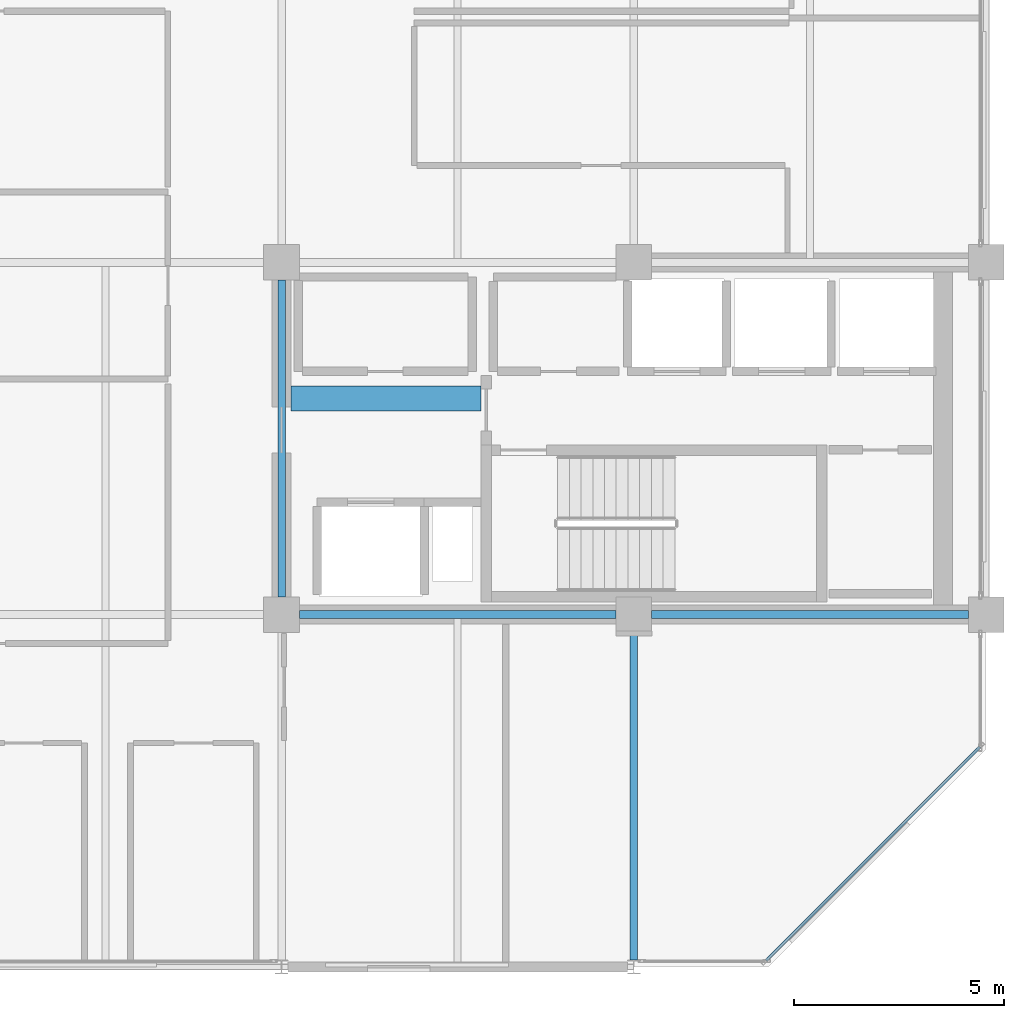
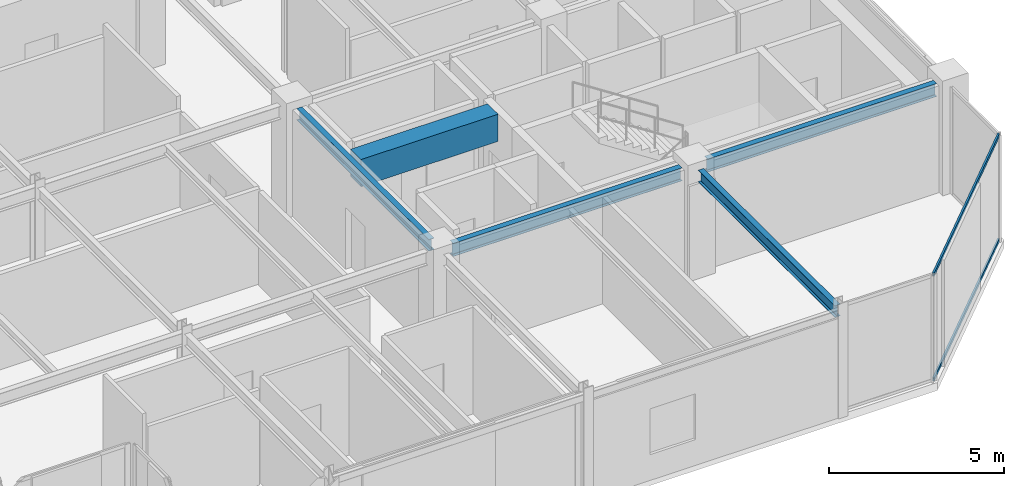
# One storey, part 8 of 24: 5 beams, 2 members, 1 element without a shape of its own.
"""IFC4 building model written with IfcOpenShell, lengths in metres."""

from ifc_helpers import new_model, si_unit, direction, frame, origin, origin_2d, place, context, subcontext, project, spatial, rectangle, hollow_rectangle, i_section, extrude, material, layer, layer_set, material_profile, profile_set, type_object, element, aggregate, save


model = new_model("IFC4")

# Units and contexts
model_context = context("Model", 3, precision=1e-05, world=origin(), true_north=direction((0.0, 1.0)))
body_context = subcontext(model_context, "Body", "Model", "MODEL_VIEW")
ifc_project = project(units=[si_unit("LENGTHUNIT", "METRE"), si_unit("AREAUNIT", "SQUARE_METRE"), si_unit("VOLUMEUNIT", "CUBIC_METRE"), si_unit("PLANEANGLEUNIT", "RADIAN"), si_unit("MASSUNIT", "GRAM", prefix="KILO")], contexts=[model_context])

# Site, building, storey
site_placement = place(None, origin())
site = spatial("IfcSite", under=ifc_project, at=site_placement, CompositionType="ELEMENT")
building_placement = place(site_placement, origin())
building = spatial("IfcBuilding", under=site, at=building_placement, Name="Nerrivon Quay Data Exchange", CompositionType="ELEMENT")
storey_placement = place(building_placement, frame((0.0, 0.0, 298.199951171875)))
storey = spatial("IfcBuildingStorey", under=building, at=storey_placement, Name="L71", CompositionType="ELEMENT", Elevation=298.199951171875)

# Beams
ifc_material_1 = material(Name="Concrete N50 (50 MPa)", Category="concrete")
ifc_material_profile_1 = material_profile(ifc_material_1, rectangle(XDim=0.60009765625, YDim=0.949951171875, at=origin_2d()), Name="RC-CB-600x950")
ifc_profile_set_1 = profile_set([ifc_material_profile_1], Name="Concrete N50 (50 MPa)")
beam_type_1 = type_object("IfcBeamType", Name="BM-CB2-600x950", PredefinedType="LINTEL", material=ifc_profile_set_1)
beam_1_placement = place(storey_placement, frame((17.02490234375, 13.550048828125, 3.25), z_axis=(1.0, 0.0, 0.0), x_axis=(0.0, 1.0, 0.0)))
element("IfcBeam", 1, at=beam_1_placement, inside=storey, type_object=beam_type_1, Name="L71 East Core Coupling Beam", PredefinedType="LINTEL", context=body_context, shape_type="SweptSolid", body=[
    extrude(rectangle(XDim=0.60009765625, YDim=0.949951171875, at=origin_2d()), origin(), (0.0, 0.0, 1.0), 4.530029296875),
])
ifc_material_2 = material(Name="Steel Grade 350", Category="steel")
ifc_material_profile_2 = material_profile(ifc_material_2, i_section(OverallWidth=0.18994140625, OverallDepth=0.4541015625, WebThickness=0.008544921875, FlangeThickness=0.0126953125, FilletRadius=0.011474609375, at=origin_2d()), Name="460UB67.1")
ifc_profile_set_2 = profile_set([ifc_material_profile_2], Name="Steel Grade 350")
beam_type_2 = type_object("IfcBeamType", Name="BM-G6-460UB67", PredefinedType="BEAM", material=ifc_profile_set_2)
beam_2_placement = place(storey_placement, frame((17.22509765625, 8.39990234375, 3.498046875), z_axis=(1.0, 0.0, 0.0), x_axis=(0.0, 1.0, 0.0)))
element("IfcBeam", 2, at=beam_2_placement, inside=storey, type_object=beam_type_2, Name="L71 EW Girder Y=8.4 (16.8..25.2)", PredefinedType="BEAM", context=body_context, shape_type="SweptSolid", body=[
    extrude(i_section(OverallWidth=0.18994140625, OverallDepth=0.4541015625, WebThickness=0.008544921875, FlangeThickness=0.0126953125, FilletRadius=0.011474609375, at=origin_2d()), origin(), (0.0, 0.0, 1.0), 7.5498046875),
])
beam_3_placement = place(storey_placement, frame((25.625, 8.39990234375, 3.498046875), z_axis=(1.0, 0.0, 0.0), x_axis=(0.0, 1.0, 0.0)))
element("IfcBeam", 3, at=beam_3_placement, inside=storey, type_object=beam_type_2, Name="L71 EW Girder Y=8.4 (25.2..33.6)", PredefinedType="BEAM", context=body_context, shape_type="SweptSolid", body=[
    extrude(i_section(OverallWidth=0.18994140625, OverallDepth=0.4541015625, WebThickness=0.008544921875, FlangeThickness=0.0126953125, FilletRadius=0.011474609375, at=origin_2d()), origin(), (0.0, 0.0, 1.0), 7.550048828125),
])
ifc_material_profile_3 = material_profile(ifc_material_2, i_section(OverallWidth=0.177978515625, OverallDepth=0.406005859375, WebThickness=0.0078125, FlangeThickness=0.0126953125, FilletRadius=0.011474609375, at=origin_2d()), Name="410UB59.7")
ifc_profile_set_3 = profile_set([ifc_material_profile_3], Name="Steel Grade 350")
beam_type_3 = type_object("IfcBeamType", Name="BM-J1-410UB60", PredefinedType="JOIST", material=ifc_profile_set_3)
beam_4_placement = place(storey_placement, frame((16.800048828125, 8.824951171875, 3.52197265625), z_axis=(0.0, 1.0, 0.0), x_axis=(-1.0, 0.0, 0.0)))
element("IfcBeam", 4, at=beam_4_placement, inside=storey, type_object=beam_type_3, Name="L71 NS Girder X=16.8 (8.4..16.8)", PredefinedType="JOIST", context=body_context, shape_type="SweptSolid", body=[
    extrude(i_section(OverallWidth=0.177978515625, OverallDepth=0.406005859375, WebThickness=0.0078125, FlangeThickness=0.0126953125, FilletRadius=0.011474609375, at=origin_2d()), origin(), (0.0, 0.0, 1.0), 7.550048828125),
])
beam_5_placement = place(storey_placement, frame((25.199951171875, 0.16357421875, 3.52197265625), z_axis=(0.0, 1.0, 0.0), x_axis=(-1.0, 0.0, 0.0)))
element("IfcBeam", 5, at=beam_5_placement, inside=storey, type_object=beam_type_3, Name="L71 NS Girder X=25.2 (0.0..8.4)", PredefinedType="JOIST", context=body_context, shape_type="SweptSolid", body=[
    extrude(i_section(OverallWidth=0.177978515625, OverallDepth=0.406005859375, WebThickness=0.0078125, FlangeThickness=0.0126953125, FilletRadius=0.011474609375, at=origin_2d()), origin(), (0.0, 0.0, 1.0), 7.8115234375),
])

# Curtain wall, members
ifc_material_3 = material(Name="Anodised aluminium 6063-T6", Category="aluminium")
ifc_layer = layer(ifc_material_3, 0.195068359375)
ifc_layer_set = layer_set([ifc_layer], Name="Anodised aluminium 6063-T6")
curtain_wall_type = type_object("IfcCurtainWallType", Name="CW-SYS-06", PredefinedType="NOTDEFINED", material=ifc_layer_set)
curtain_wall_placement = place(storey_placement, origin())
curtain_wall = element("IfcCurtainWall", 6, at=curtain_wall_placement, inside=storey, type_object=curtain_wall_type, Name="L71 Unitised Curtain Wall 1", PredefinedType="NOTDEFINED")
ifc_material_profile_4 = material_profile(ifc_material_3, hollow_rectangle(XDim=0.06005859375, YDim=0.1201171875, WallThickness=0.003173828125, at=origin_2d()), Name="ALU-TRAN-120x60")
ifc_profile_set_4 = profile_set([ifc_material_profile_4], Name="Anodised aluminium 6063-T6")
member_type = type_object("IfcMemberType", Name="CWT-120x60", PredefinedType="USERDEFINED", material=ifc_profile_set_4)
member_1_placement = place(storey_placement, frame((33.447998046875, 5.245849609375, 0.032470703125), z_axis=(-0.707123726196, -0.707089835771, 0.0), x_axis=(0.707089835771, -0.707123726196, 0.0)))
member_1 = element("IfcMember", 7, at=member_1_placement, type_object=member_type, Name="CW06 transom 1.1", ObjectType="TRANSOM", PredefinedType="USERDEFINED", context=body_context, shape_type="SweptSolid", body=[
    extrude(hollow_rectangle(XDim=0.06005859375, YDim=0.1201171875, WallThickness=0.003173828125, at=origin_2d()), origin(), (0.0, 0.0, 1.0), 7.203857421875),
])
member_2_placement = place(storey_placement, frame((33.447998046875, 5.245849609375, 3.692626953125), z_axis=(-0.707123726196, -0.707089835771, 0.0), x_axis=(0.707089835771, -0.707123726196, 0.0)))
member_2 = element("IfcMember", 8, at=member_2_placement, type_object=member_type, Name="CW06 transom 1.2", ObjectType="TRANSOM", PredefinedType="USERDEFINED", context=body_context, shape_type="SweptSolid", body=[
    extrude(hollow_rectangle(XDim=0.06005859375, YDim=0.1201171875, WallThickness=0.003173828125, at=origin_2d()), origin(), (0.0, 0.0, 1.0), 7.203857421875),
])
aggregate(curtain_wall, [member_1, member_2])

save(model, "model.ifc")
